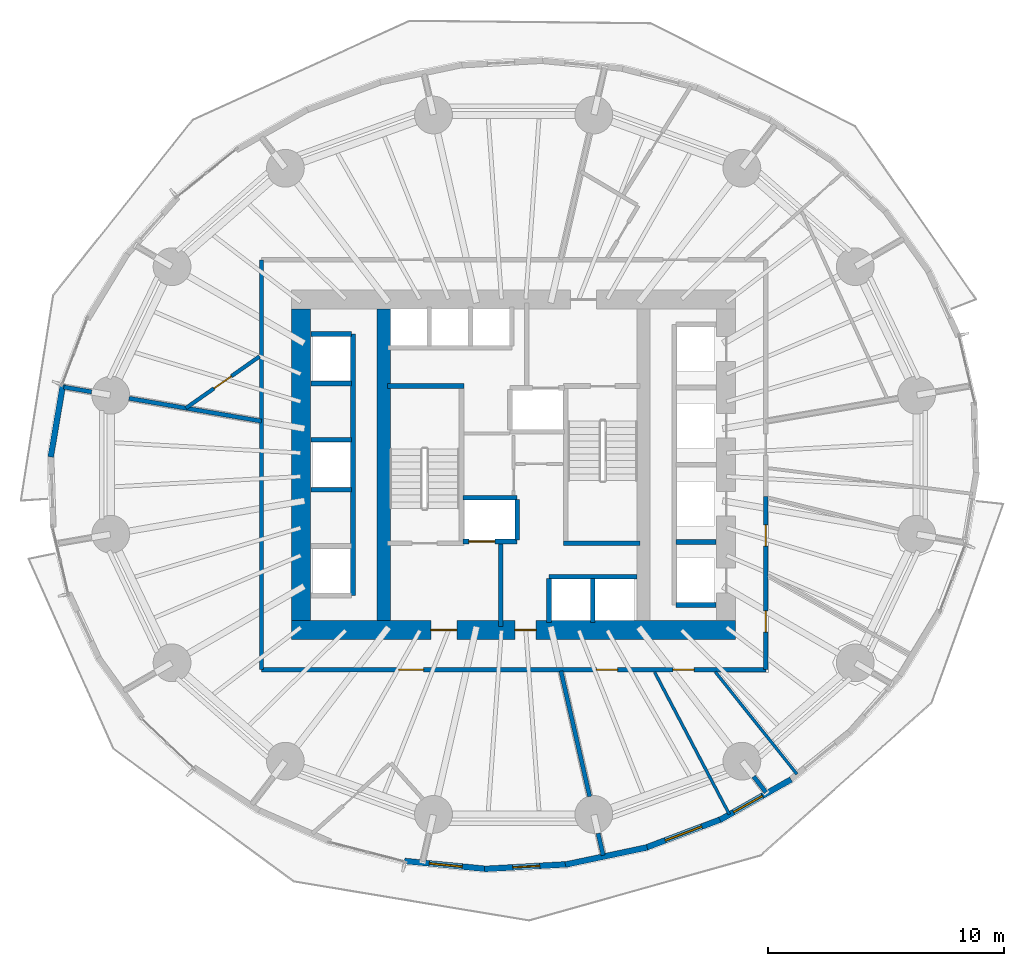
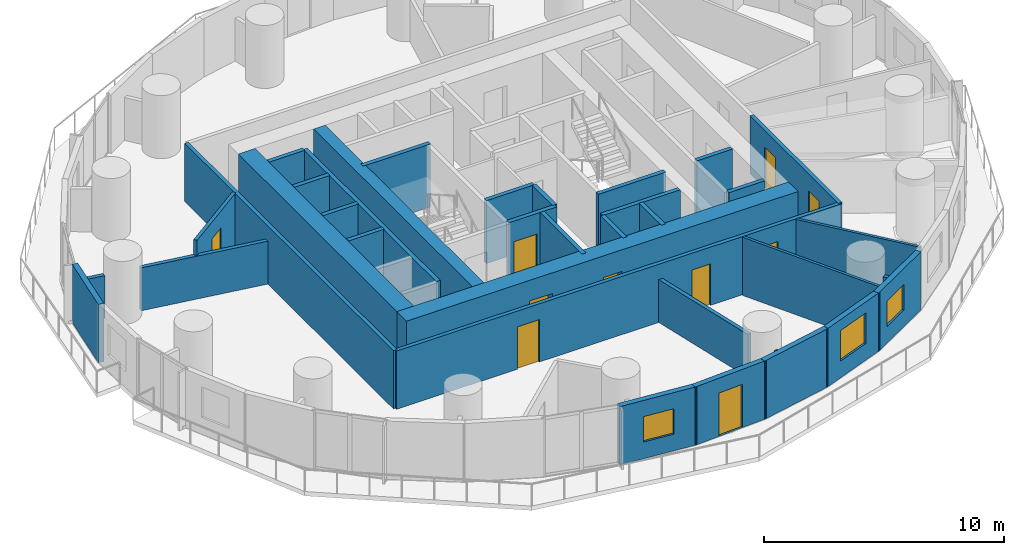
# One storey, part 7 of 14: 36 walls, 10 doors, 3 windows, 13 openings.
"""IFC4 building model written with IfcOpenShell, lengths in metres."""

import ifcopenshell
import ifcopenshell.guid

model = None  # the IFC model being written
_history = None  # IfcOwnerHistory: only IFC2X3 demands one
_inside = {}  # id of a spatial element -> (the spatial element, [elements in it])
_under = {}  # id of a project, library or spatial element -> (it, [spatial elements below it])
_declared = {}  # id of a project -> (the project, [libraries it declares])
_typed = {}  # id of a type object -> (the type object, [elements of that type])
_made_of = {}  # id of a material, layer set ... -> (it, [elements and type objects made of it])


def new_model(schema):
    """Start an empty IFC model of exactly this schema.

    Asked for "IFC4X3", IfcOpenShell would pick the latest addendum, in which some entities
    have other attributes; the version numbers below select the first issue.
    IFC2X3 requires an IfcOwnerHistory on every rooted entity: one is made here for all.
    """
    global model, _history
    if schema == "IFC4X3":
        model = ifcopenshell.file(schema_version=(4, 3, 0, 0))
    else:
        model = ifcopenshell.file(schema=schema)
    _inside.clear()
    _under.clear()
    _declared.clear()
    _typed.clear()
    _made_of.clear()
    _history = None
    if model.schema == "IFC2X3":
        org = make("IfcOrganization", Name="unknown")
        user = make(
            "IfcPersonAndOrganization",
            ThePerson=make("IfcPerson", FamilyName="unknown"),
            TheOrganization=org,
        )
        app = make(
            "IfcApplication",
            ApplicationDeveloper=org,
            Version="unknown",
            ApplicationFullName="unknown",
            ApplicationIdentifier="unknown",
        )
        _history = make(
            "IfcOwnerHistory",
            OwningUser=user,
            OwningApplication=app,
            ChangeAction="ADDED",
            CreationDate=0,
        )
    return model


def make(cls, **values):
    """One entity of the class cls with the attributes given. An attribute that is None is left unset."""
    return model.create_entity(
        cls, **{name: value for name, value in values.items() if value is not None}
    )


def rooted(cls, **values):
    """An entity with a GlobalId (a new one), such as an element, a storey or a relation."""
    return make(cls, GlobalId=ifcopenshell.guid.new(), OwnerHistory=_history, **values)


def si_unit(unit_type, name, prefix=None):
    """IfcSIUnit, for example si_unit("LENGTHUNIT", "METRE", prefix="MILLI")."""
    return make("IfcSIUnit", UnitType=unit_type, Prefix=prefix, Name=name)


def assignment(units):
    """IfcUnitAssignment: the units of a project."""
    return None if units is None else make("IfcUnitAssignment", Units=units)


def point(xyz):
    """IfcCartesianPoint."""
    return None if xyz is None else make("IfcCartesianPoint", Coordinates=xyz)


def direction(xyz):
    """IfcDirection."""
    return None if xyz is None else make("IfcDirection", DirectionRatios=xyz)


def frame(location, z_axis=None, x_axis=None):
    """IfcAxis2Placement3D, a coordinate frame: its origin and axes. An axis left out is left unset."""
    return make(
        "IfcAxis2Placement3D",
        Location=point(location),
        Axis=direction(z_axis),
        RefDirection=direction(x_axis),
    )


def frame_2d(location, x_axis=None):
    """IfcAxis2Placement2D, a coordinate frame in the plane: its origin and x axis."""
    return make(
        "IfcAxis2Placement2D", Location=point(location), RefDirection=direction(x_axis)
    )


def origin():
    """The frame at (0, 0, 0) with its axes left unset."""
    return frame((0.0, 0.0, 0.0))


def place(relative_to, where):
    """IfcLocalPlacement: puts the frame where relative to a parent placement (None: the world)."""
    return make(
        "IfcLocalPlacement", PlacementRelTo=relative_to, RelativePlacement=where
    )


def context(
    kind, dimensions, precision=None, world=None, true_north=None, identifier=None
):
    """IfcGeometricRepresentationContext, for example the 3D "Model" context."""
    return make(
        "IfcGeometricRepresentationContext",
        ContextIdentifier=identifier,
        ContextType=kind,
        CoordinateSpaceDimension=dimensions,
        Precision=precision,
        WorldCoordinateSystem=world,
        TrueNorth=true_north,
    )


def subcontext(parent, identifier, kind, view, scale=None):
    """IfcGeometricRepresentationSubContext, for example "Body" below "Model"."""
    return make(
        "IfcGeometricRepresentationSubContext",
        ContextIdentifier=identifier,
        ContextType=kind,
        ParentContext=parent,
        TargetScale=scale,
        TargetView=view,
    )


def project(units=None, contexts=None):
    """IfcProject with its units and contexts."""
    return rooted(
        "IfcProject",
        Name="project",
        RepresentationContexts=contexts,
        UnitsInContext=assignment(units),
    )


def spatial(cls, under=None, at=None, **own):
    """A site, building, storey or space (cls), placed at a placement, below another one or the project."""
    s = rooted(cls, ObjectPlacement=at, **own)
    if under is not None:
        _under.setdefault(under.id(), (under, []))[1].append(s)
    return s


def profile(cls, at=None, kind="AREA", **sizes):
    """A parametric profile (cls). Its sizes go by their IFC names, for example OverallWidth=200.0."""
    return make(cls, ProfileType=kind, Position=at, **sizes)


def rectangle(**sizes):
    """IfcRectangleProfileDef."""
    return profile("IfcRectangleProfileDef", **sizes)


def extrude(swept, where, along, depth):
    """IfcExtrudedAreaSolid: the profile swept, set in the frame where, extruded along a direction by depth."""
    return make(
        "IfcExtrudedAreaSolid",
        SweptArea=swept,
        Position=where,
        ExtrudedDirection=direction(along),
        Depth=depth,
    )


def shape(context_of_items, identifier, shape_type, items):
    """IfcShapeRepresentation: the items that make up one representation, for example the "Body"."""
    return make(
        "IfcShapeRepresentation",
        ContextOfItems=context_of_items,
        RepresentationIdentifier=identifier,
        RepresentationType=shape_type,
        Items=items,
    )


def material(Name=None, Category=None):
    """IfcMaterial."""
    return make("IfcMaterial", Name=Name, Category=Category)


def layer(
    of_material, thickness, ventilated=None, Name=None, Category=None, Priority=None
):
    """IfcMaterialLayer: one layer of a wall or slab, of a material (None: an air gap)."""
    return make(
        "IfcMaterialLayer",
        Material=of_material,
        LayerThickness=thickness,
        IsVentilated=ventilated,
        Name=Name,
        Category=Category,
        Priority=Priority,
    )


def layer_set(layers, Name=None):
    """IfcMaterialLayerSet."""
    return make("IfcMaterialLayerSet", MaterialLayers=layers, LayerSetName=Name)


def made_of(thing, what):
    """Note that an element or type object is made of a material, layer set ...; save() writes the relation."""
    if what is not None:
        _made_of.setdefault(what.id(), (what, []))[1].append(thing)
    return thing


def type_object(cls, material=None, **own):
    """A type object (cls), such as IfcWallType, which elements share."""
    return made_of(rooted(cls, **own), material)


def element(
    cls,
    number,
    at=None,
    inside=None,
    cuts=None,
    type_object=None,
    material=None,
    context=None,
    identifier="Body",
    shape_type=None,
    held_by="IfcProductDefinitionShape",
    body=None,
    shapes=None,
    **own,
):
    """One element of the class cls, such as IfcWall. Its Tag is "e" and its number.

    at: its placement. inside: the storey or other place that contains it. cuts: it is an
    opening in that element (IfcRelVoidsElement). A single representation is given by context,
    identifier, shape_type and body (its items); several are given by shapes. held_by: the class
    of the entity that holds the representations. save() writes the other relations.
    """
    e = rooted(cls, Tag="e%d" % number, ObjectPlacement=at, **own)
    if body is not None:
        shapes = [shape(context, identifier, shape_type, body)]
    if shapes is not None:
        e.Representation = make(held_by, Representations=shapes)
    if inside is not None:
        _inside.setdefault(inside.id(), (inside, []))[1].append(e)
    if cuts is not None:
        rooted(
            "IfcRelVoidsElement", RelatingBuildingElement=cuts, RelatedOpeningElement=e
        )
    if type_object is not None:
        _typed.setdefault(type_object.id(), (type_object, []))[1].append(e)
    return made_of(e, material)


def fill(opening, filler):
    """IfcRelFillsElement: the door or window that sits in an opening."""
    return rooted(
        "IfcRelFillsElement",
        RelatingOpeningElement=opening,
        RelatedBuildingElement=filler,
    )


def aggregate(whole, parts):
    """IfcRelAggregates: a whole, such as a stair, and the parts it consists of."""
    return rooted("IfcRelAggregates", RelatingObject=whole, RelatedObjects=parts)


def save(model, path):
    """Write the relations noted so far, then the file.

    IfcRelAggregates (storeys below a building ...), IfcRelContainedInSpatialStructure (elements
    in a storey), IfcRelDefinesByType, IfcRelAssociatesMaterial and IfcRelDeclares: one each for
    every whole, place, type object, material and project.
    """
    for whole, parts in _under.values():
        aggregate(whole, parts)
    for where, things in _inside.values():
        rooted(
            "IfcRelContainedInSpatialStructure",
            RelatedElements=things,
            RelatingStructure=where,
        )
    for kind, things in _typed.values():
        rooted("IfcRelDefinesByType", RelatedObjects=things, RelatingType=kind)
    for what, things in _made_of.values():
        rooted("IfcRelAssociatesMaterial", RelatedObjects=things, RelatingMaterial=what)
    for by, libraries in _declared.values():
        rooted("IfcRelDeclares", RelatingContext=by, RelatedDefinitions=libraries)
    model.write(path)


model = new_model("IFC4")

# Units and contexts
model_context = context("Model", 3, precision=1e-05, world=origin(), true_north=direction((0.0, 1.0)))
body_context = subcontext(model_context, "Body", "Model", "MODEL_VIEW")
ifc_project = project(units=[si_unit("LENGTHUNIT", "METRE"), si_unit("AREAUNIT", "SQUARE_METRE"), si_unit("VOLUMEUNIT", "CUBIC_METRE"), si_unit("PLANEANGLEUNIT", "RADIAN"), si_unit("MASSUNIT", "GRAM", prefix="KILO")], contexts=[model_context])

# Site, building, storey
site_placement = place(None, origin())
site = spatial("IfcSite", under=ifc_project, at=site_placement, CompositionType="ELEMENT")
building_placement = place(site_placement, origin())
building = spatial("IfcBuilding", under=site, at=building_placement, Name="Veldorim Arch Residences", CompositionType="ELEMENT")
storey_placement = place(building_placement, frame((0.0, 0.0, 37.60009765625)))
storey = spatial("IfcBuildingStorey", under=building, at=storey_placement, Name="L10", CompositionType="ELEMENT", Elevation=37.60009765625)

# Walls
ifc_material_1 = material(Name="Acoustic Gypsum Board", Category="gypsum")
ifc_layer_1 = layer(ifc_material_1, 0.125, Name="Acoustic Stud Room Partition Wall 125")
ifc_layer_set_1 = layer_set([ifc_layer_1], Name="Acoustic Gypsum Board")
wall_type_1 = type_object("IfcWallType", Name="Acoustic Stud Room Partition Wall 125", PredefinedType="PARTITIONING", material=ifc_layer_set_1)
wall_1_placement = place(storey_placement, frame((43.997802734375, 10.896728515625, 0.0), z_axis=(0.0, 0.0, 1.0), x_axis=(-0.623937025269, 0.781474624347, 0.0)))
element("IfcWall", 1, at=wall_1_placement, inside=storey, type_object=wall_type_1, Name="L10 interior wall WL-RES-L10-010", PredefinedType="PARTITIONING", context=body_context, shape_type="SweptSolid", body=[
    extrude(rectangle(XDim=5.540283203125, YDim=0.125, at=frame_2d((2.77001953125, 0.0))), origin(), (0.0, 0.0, 1.0), 2.954833984375),
])
wall_2_placement = place(storey_placement, frame((41.134521484375, 9.197265625, 0.0), z_axis=(0.0, 0.0, 1.0), x_axis=(-0.465197105493, 0.885207124373, 0.0)))
element("IfcWall", 2, at=wall_2_placement, inside=storey, type_object=wall_type_1, Name="L10 interior wall WL-RES-L10-011", PredefinedType="PARTITIONING", context=body_context, shape_type="SweptSolid", body=[
    extrude(rectangle(XDim=6.796875, YDim=0.125, at=frame_2d((3.3984375, 0.0))), origin(), (0.0, 0.0, 1.0), 2.954833984375),
])
ifc_material_2 = material(Name="Lightweight Masonry Block & Gypsum", Category="masonry")
ifc_layer_2 = layer(ifc_material_2, 0.179931640625, Name="Compartment & Corridor Fire-Rated Party Wall 180")
ifc_layer_set_2 = layer_set([ifc_layer_2], Name="Lightweight Masonry Block & Gypsum")
wall_type_2 = type_object("IfcWallType", Name="Compartment & Corridor Fire-Rated Party Wall 180", PredefinedType="PARTITIONING", material=ifc_layer_set_2)
wall_3_placement = place(storey_placement, frame((14.126220703125, 27.08544921875, 0.0), z_axis=(0.0, 0.0, 1.0), x_axis=(-0.98541644509, 0.170160012181, 0.0)))
element("IfcWall", 3, at=wall_3_placement, inside=storey, type_object=wall_type_2, Name="L10 interior wall WL-PIER-L10-08", PredefinedType="PARTITIONING", context=body_context, shape_type="SweptSolid", body=[
    extrude(rectangle(XDim=1.195068359375, YDim=0.179931640625, at=frame_2d((0.59765625, 0.0))), origin(), (0.0, 0.0, 1.0), 2.17822265625),
])
wall_4_placement = place(storey_placement, frame((35.577880859375, 8.390869140625, 0.0), z_axis=(0.0, 0.0, 1.0), x_axis=(0.223204870581, -0.974771555673, 0.0)))
element("IfcWall", 4, at=wall_4_placement, inside=storey, type_object=wall_type_2, Name="L10 interior wall WL-PIER-L10-13", PredefinedType="PARTITIONING", context=body_context, shape_type="SweptSolid", body=[
    extrude(rectangle(XDim=0.959228515625, YDim=0.179931640625, at=frame_2d((0.4794921875, 0.0))), origin(), (0.0, 0.0, 1.0), 2.17822265625),
])
wall_5_placement = place(storey_placement, frame((42.167236328125, 10.795166015625, 0.0), z_axis=(0.0, 0.0, 1.0), x_axis=(0.609822176225, -0.792538272504, 0.0)))
element("IfcWall", 5, at=wall_5_placement, inside=storey, type_object=wall_type_2, Name="L10 interior wall WL-PIER-L10-14", PredefinedType="PARTITIONING", context=body_context, shape_type="SweptSolid", body=[
    extrude(rectangle(XDim=0.84716796875, YDim=0.179931640625, at=frame_2d((0.423583984375, 0.0))), origin(), (0.0, 0.0, 1.0), 2.17822265625),
])

# Wall, openings, doors
wall_6_placement = place(storey_placement, frame((42.679931640625, 22.655517578125, 0.0), z_axis=(0.0, 0.0, 1.0), x_axis=(0.0, -1.0, 0.0)))
wall_6 = element("IfcWall", 6, at=wall_6_placement, inside=storey, type_object=wall_type_2, Name="L10 interior wall WL-RES-L10-002", PredefinedType="PARTITIONING", context=body_context, shape_type="SweptSolid", body=[
    extrude(rectangle(XDim=7.33544921875, YDim=0.179931640625, at=frame_2d((3.667724609375, 0.0))), origin(), (0.0, 0.0, 1.0), 2.954833984375),
])
opening_1_placement = place(wall_6_placement, frame((1.199951171875, 0.0, 0.0)))
opening_1 = element("IfcOpeningElement", 7, at=opening_1_placement, cuts=wall_6, Name="Opening DR-INT", PredefinedType="OPENING", context=body_context, shape_type="SweptSolid", body=[
    extrude(rectangle(XDim=0.89990234375, YDim=2.10009765625, at=frame_2d((0.449951171875, 1.050048828125))), frame((0.0, 0.099853515625, 0.0), z_axis=(0.0, -1.0, 0.0), x_axis=(1.0, 0.0, 0.0)), (0.0, 0.0, 1.0), 0.199951171875),
])
opening_2_placement = place(wall_6_placement, frame((4.846435546875, 0.0, 0.0)))
opening_2 = element("IfcOpeningElement", 8, at=opening_2_placement, cuts=wall_6, Name="Opening DR-INT", PredefinedType="OPENING", context=body_context, shape_type="SweptSolid", body=[
    extrude(rectangle(XDim=0.89990234375, YDim=2.10009765625, at=frame_2d((0.449951171875, 1.050048828125))), frame((0.0, 0.099853515625, 0.0), z_axis=(0.0, -1.0, 0.0), x_axis=(1.0, 0.0, 0.0)), (0.0, 0.0, 1.0), 0.199951171875),
])
ifc_material_3 = material(Name="Engineered Timber", Category="wood")
door_type_1 = type_object("IfcDoorType", Name="Apartment Internal Room Timber Door 900x2100", OperationType="SINGLE_SWING_LEFT", PredefinedType="DOOR", material=ifc_material_3)
door_1_placement = place(opening_1_placement, origin())
door_1 = element("IfcDoor", 9, at=door_1_placement, inside=storey, type_object=door_type_1, Name="L10 interior door DR-RES-L10-002", OperationType="SINGLE_SWING_RIGHT", OverallHeight=2.10009765625, OverallWidth=0.89990234375, PredefinedType="DOOR", context=body_context, shape_type="SweptSolid", body=[
    extrude(rectangle(XDim=0.89990234375, YDim=2.10009765625, at=frame_2d((0.449951171875, 1.050048828125))), frame((0.0, 0.02490234375, 0.0), z_axis=(0.0, -1.0, 0.0), x_axis=(1.0, 0.0, 0.0)), (0.0, 0.0, 1.0), 0.050048828125),
])
fill(opening_1, door_1)
door_2_placement = place(opening_2_placement, origin())
door_2 = element("IfcDoor", 10, at=door_2_placement, inside=storey, type_object=door_type_1, Name="L10 interior door DR-RES-L10-003", OperationType="SINGLE_SWING_LEFT", OverallHeight=2.10009765625, OverallWidth=0.89990234375, PredefinedType="DOOR", context=body_context, shape_type="SweptSolid", body=[
    extrude(rectangle(XDim=0.89990234375, YDim=2.10009765625, at=frame_2d((0.449951171875, 1.050048828125))), frame((0.0, 0.02490234375, 0.0), z_axis=(0.0, -1.0, 0.0), x_axis=(1.0, 0.0, 0.0)), (0.0, 0.0, 1.0), 0.050048828125),
])
fill(opening_2, door_2)

wall_7_placement = place(storey_placement, frame((42.679931640625, 15.320068359375, 0.0), z_axis=(0.0, 0.0, 1.0), x_axis=(-1.0, 0.0, 0.0)))
wall_7 = element("IfcWall", 11, at=wall_7_placement, inside=storey, type_object=wall_type_2, Name="L10 interior wall WL-RES-L10-003", PredefinedType="PARTITIONING", context=body_context, shape_type="SweptSolid", body=[
    extrude(rectangle(XDim=21.35986328125, YDim=0.179931640625, at=frame_2d((10.679931640625, 0.0))), origin(), (0.0, 0.0, 1.0), 2.954833984375),
])
opening_3_placement = place(wall_7_placement, frame((3.035888671875, 0.0, 0.0)))
opening_3 = element("IfcOpeningElement", 12, at=opening_3_placement, cuts=wall_7, Name="Opening DR-INT", PredefinedType="OPENING", context=body_context, shape_type="SweptSolid", body=[
    extrude(rectangle(XDim=0.89990234375, YDim=2.10009765625, at=frame_2d((0.449951171875, 1.050048828125))), frame((0.0, 0.099853515625, 0.0), z_axis=(0.0, -1.0, 0.0), x_axis=(1.0, 0.0, 0.0)), (0.0, 0.0, 1.0), 0.199951171875),
])
opening_4_placement = place(wall_7_placement, frame((6.275390625, 0.0, 0.0)))
opening_4 = element("IfcOpeningElement", 13, at=opening_4_placement, cuts=wall_7, Name="Opening DR-INT", PredefinedType="OPENING", context=body_context, shape_type="SweptSolid", body=[
    extrude(rectangle(XDim=0.89990234375, YDim=2.10009765625, at=frame_2d((0.449951171875, 1.050048828125))), frame((0.0, 0.099853515625, 0.0), z_axis=(0.0, -1.0, 0.0), x_axis=(1.0, 0.0, 0.0)), (0.0, 0.0, 1.0), 0.199951171875),
])
opening_5_placement = place(wall_7_placement, frame((14.489990234375, 0.0, 0.0)))
opening_5 = element("IfcOpeningElement", 14, at=opening_5_placement, cuts=wall_7, Name="Opening DR-FLT", PredefinedType="OPENING", context=body_context, shape_type="SweptSolid", body=[
    extrude(rectangle(XDim=1.050048828125, YDim=2.14990234375, at=frame_2d((0.52490234375, 1.074951171875))), frame((0.0, 0.099853515625, 0.0), z_axis=(0.0, -1.0, 0.0), x_axis=(1.0, 0.0, 0.0)), (0.0, 0.0, 1.0), 0.199951171875),
])
ifc_material_4 = material(Name="Fire-Rated Timber", Category="wood")
door_type_2 = type_object("IfcDoorType", Name="Apartment Entrance Solid-Core Fire Door 1050x2150", OperationType="SINGLE_SWING_LEFT", PredefinedType="DOOR", material=ifc_material_4)
door_3_placement = place(opening_5_placement, origin())
door_3 = element("IfcDoor", 15, at=door_3_placement, inside=storey, type_object=door_type_2, Name="L10 interior door DR-RES-L10-014", OperationType="SINGLE_SWING_RIGHT", OverallHeight=2.14990234375, OverallWidth=1.050048828125, PredefinedType="DOOR", context=body_context, shape_type="SweptSolid", body=[
    extrude(rectangle(XDim=1.050048828125, YDim=2.14990234375, at=frame_2d((0.52490234375, 1.074951171875))), frame((0.0, 0.02490234375, 0.0), z_axis=(0.0, -1.0, 0.0), x_axis=(1.0, 0.0, 0.0)), (0.0, 0.0, 1.0), 0.050048828125),
])
fill(opening_5, door_3)
door_4_placement = place(opening_3_placement, origin())
door_4 = element("IfcDoor", 16, at=door_4_placement, inside=storey, type_object=door_type_1, Name="L10 interior door DR-RES-L10-004", OperationType="SINGLE_SWING_RIGHT", OverallHeight=2.10009765625, OverallWidth=0.89990234375, PredefinedType="DOOR", context=body_context, shape_type="SweptSolid", body=[
    extrude(rectangle(XDim=0.89990234375, YDim=2.10009765625, at=frame_2d((0.449951171875, 1.050048828125))), frame((0.0, 0.02490234375, 0.0), z_axis=(0.0, -1.0, 0.0), x_axis=(1.0, 0.0, 0.0)), (0.0, 0.0, 1.0), 0.050048828125),
])
fill(opening_3, door_4)
door_5_placement = place(opening_4_placement, origin())
door_5 = element("IfcDoor", 17, at=door_5_placement, inside=storey, type_object=door_type_1, Name="L10 interior door DR-RES-L10-005", OperationType="SINGLE_SWING_LEFT", OverallHeight=2.10009765625, OverallWidth=0.89990234375, PredefinedType="DOOR", context=body_context, shape_type="SweptSolid", body=[
    extrude(rectangle(XDim=0.89990234375, YDim=2.10009765625, at=frame_2d((0.449951171875, 1.050048828125))), frame((0.0, 0.02490234375, 0.0), z_axis=(0.0, -1.0, 0.0), x_axis=(1.0, 0.0, 0.0)), (0.0, 0.0, 1.0), 0.050048828125),
])
fill(opening_4, door_5)

# Walls
wall_8_placement = place(storey_placement, frame((21.320068359375, 15.320068359375, 0.0), z_axis=(0.0, 0.0, 1.0), x_axis=(0.0, 1.0, 0.0)))
element("IfcWall", 18, at=wall_8_placement, inside=storey, type_object=wall_type_2, Name="L10 interior wall WL-RES-L10-005", PredefinedType="PARTITIONING", context=body_context, shape_type="SweptSolid", body=[
    extrude(rectangle(XDim=17.35986328125, YDim=0.179931640625, at=frame_2d((8.679931640625, 0.0))), origin(), (0.0, 0.0, 1.0), 2.954833984375),
])
wall_9_placement = place(storey_placement, frame((35.220947265625, 9.947998046875, 0.0), z_axis=(0.0, 0.0, 1.0), x_axis=(-0.223436436687, 0.974718502318, 0.0)))
element("IfcWall", 19, at=wall_9_placement, inside=storey, type_object=wall_type_2, Name="L10 interior wall WL-RES-L10-012", PredefinedType="PARTITIONING", context=body_context, shape_type="SweptSolid", body=[
    extrude(rectangle(XDim=5.451171875, YDim=0.179931640625, at=frame_2d((2.7255859375, 0.0))), origin(), (0.0, 0.0, 1.0), 2.17822265625),
])
wall_10_placement = place(storey_placement, frame((21.320068359375, 25.84375, 0.0), z_axis=(0.0, 0.0, 1.0), x_axis=(-0.985428411656, 0.170090697865, 0.0)))
element("IfcWall", 20, at=wall_10_placement, inside=storey, type_object=wall_type_2, Name="L10 interior wall WL-RES-L10-020", PredefinedType="PARTITIONING", context=body_context, shape_type="SweptSolid", body=[
    extrude(rectangle(XDim=5.694091796875, YDim=0.179931640625, at=frame_2d((2.84716796875, 0.0))), origin(), (0.0, 0.0, 1.0), 2.17822265625),
])
ifc_material_5 = material(Name="Concrete C50/60", Category="concrete")
ifc_layer_3 = layer(ifc_material_5, 0.199951171875, Name="Core Stair & Lift Shaft Enclosure Wall 200")
ifc_layer_set_3 = layer_set([ifc_layer_3], Name="Concrete C50/60")
wall_type_3 = type_object("IfcWallType", Name="Core Stair & Lift Shaft Enclosure Wall 200", PredefinedType="SHEAR", material=ifc_layer_set_3)
for number, where, z_axis, x_axis, name in (
    (21, (26.64990234375, 27.330078125, 0.0), (0.0, 0.0, 1.0), (1.0, 0.0, 0.0), "L10 shaft wall WL-SHF-L10-ST1-N"),
    (22, (34.110107421875, 20.669921875, 0.0), (0.0, 0.0, 1.0), (1.0, 0.0, 0.0), "L10 shaft wall WL-SHF-L10-ST2-S"),
):
    element("IfcWall", number, at=place(storey_placement, frame(where, z_axis=z_axis, x_axis=x_axis)), inside=storey, type_object=wall_type_3, Name=name, PredefinedType="SHEAR", context=body_context, shape_type="SweptSolid", body=[
        extrude(rectangle(XDim=3.239990234375, YDim=0.199951171875, at=frame_2d((1.6201171875, 0.0))), origin(), (0.0, 0.0, 1.0), 3.199951171875),
    ])
wall_11_placement = place(storey_placement, frame((31.449951171875, 17.14990234375, 0.0), z_axis=(0.0, 0.0, 1.0), x_axis=(0.0, 1.0, 0.0)))
element("IfcWall", 23, at=wall_11_placement, inside=storey, type_object=wall_type_3, Name="L10 shaft wall WL-FFL1-L10-E", PredefinedType="SHEAR", context=body_context, shape_type="SweptSolid", body=[
    extrude(rectangle(XDim=3.5, YDim=0.199951171875, at=frame_2d((1.75, 0.0))), origin(), (0.0, 0.0, 1.0), 3.199951171875),
])

# Wall, opening, door
wall_12_placement = place(storey_placement, frame((29.85009765625, 20.75, 0.0), z_axis=(0.0, 0.0, 1.0), x_axis=(1.0, 0.0, 0.0)))
wall_12 = element("IfcWall", 24, at=wall_12_placement, inside=storey, type_object=wall_type_3, Name="L10 shaft wall WL-FL01-L10-S", PredefinedType="SHEAR", context=body_context, shape_type="SweptSolid", body=[
    extrude(rectangle(XDim=2.2998046875, YDim=0.199951171875, at=frame_2d((1.14990234375, 0.0))), origin(), (0.0, 0.0, 1.0), 3.199951171875),
])
opening_6_placement = place(wall_12_placement, frame((0.25, 0.0, 0.0)))
opening_6 = element("IfcOpeningElement", 25, at=opening_6_placement, cuts=wall_12, Name="Opening LD-FF", PredefinedType="OPENING", context=body_context, shape_type="SweptSolid", body=[
    extrude(rectangle(XDim=1.10009765625, YDim=2.14990234375, at=frame_2d((0.550048828125, 1.074951171875))), frame((0.0, 0.10986328125, 0.0), z_axis=(0.0, -1.0, 0.0), x_axis=(1.0, 0.0, 0.0)), (0.0, 0.0, 1.0), 0.219970703125),
])
ifc_material_6 = material(Name="Stainless Steel", Category="steel")
door_type_3 = type_object("IfcDoorType", Name="Firefighting Lift Bi-Parting Sliding Landing Door 1100x2150", OperationType="DOUBLE_DOOR_SLIDING", PredefinedType="DOOR", material=ifc_material_6)
door_6_placement = place(opening_6_placement, origin())
door_6 = element("IfcDoor", 26, at=door_6_placement, inside=storey, type_object=door_type_3, Name="L10 lift landing door LD-L10-FL01", OperationType="DOUBLE_DOOR_SLIDING", OverallHeight=2.14990234375, OverallWidth=1.10009765625, PredefinedType="DOOR", context=body_context, shape_type="SweptSolid", body=[
    extrude(rectangle(XDim=1.10009765625, YDim=2.14990234375, at=frame_2d((0.550048828125, 1.074951171875))), frame((0.0, 0.02490234375, 0.0), z_axis=(0.0, -1.0, 0.0), x_axis=(1.0, 0.0, 0.0)), (0.0, 0.0, 1.0), 0.050048828125),
])
fill(opening_6, door_6)

# Walls
wall_13_placement = place(storey_placement, frame((29.85009765625, 22.60009765625, 0.0), z_axis=(0.0, 0.0, 1.0), x_axis=(1.0, 0.0, 0.0)))
element("IfcWall", 27, at=wall_13_placement, inside=storey, type_object=wall_type_3, Name="L10 shaft wall WL-FL01-L10-N", PredefinedType="SHEAR", context=body_context, shape_type="SweptSolid", body=[
    extrude(rectangle(XDim=2.2998046875, YDim=0.199951171875, at=frame_2d((1.14990234375, 0.0))), origin(), (0.0, 0.0, 1.0), 3.199951171875),
])
for number, where, z_axis, x_axis, name in (
    (28, (32.14990234375, 20.820068359375, 0.0), (0.0, 0.0, 1.0), (0.0, 1.0, 0.0), "L10 shaft wall WL-FL01-L10-E"),
    (29, (38.8701171875, 18.06005859375, 0.0), (0.0, 0.0, 1.0), (1.0, 0.0, 0.0), "L10 shaft wall WL-B1-L10-S"),
    (30, (38.8701171875, 20.72509765625, 0.0), (0.0, 0.0, 1.0), (1.0, 0.0, 0.0), "L10 shaft wall WL-B1-L10-D1"),
):
    element("IfcWall", number, at=place(storey_placement, frame(where, z_axis=z_axis, x_axis=x_axis)), inside=storey, type_object=wall_type_3, Name=name, PredefinedType="SHEAR", context=body_context, shape_type="SweptSolid", body=[
        extrude(rectangle(XDim=1.7099609375, YDim=0.199951171875, at=frame_2d((0.85498046875, 0.0))), origin(), (0.0, 0.0, 1.0), 3.199951171875),
    ])
wall_14_placement = place(storey_placement, frame((25.199951171875, 18.4599609375, 0.0), z_axis=(0.0, 0.0, 1.0), x_axis=(0.0, 1.0, 0.0)))
element("IfcWall", 31, at=wall_14_placement, inside=storey, type_object=wall_type_3, Name="L10 shaft wall WL-B2-L10-E", PredefinedType="SHEAR", context=body_context, shape_type="SweptSolid", body=[
    extrude(rectangle(XDim=11.080078125, YDim=0.199951171875, at=frame_2d((5.5400390625, 0.0))), origin(), (0.0, 0.0, 1.0), 3.199951171875),
])
for number, where, z_axis, x_axis, name in (
    (32, (23.419921875, 29.5400390625, 0.0), (0.0, 0.0, 1.0), (1.0, 0.0, 0.0), "L10 shaft wall WL-B2-L10-N"),
    (33, (23.419921875, 22.93994140625, 0.0), (0.0, 0.0, 1.0), (1.0, 0.0, 0.0), "L10 shaft wall WL-B2-L10-D1B"),
    (34, (23.419921875, 25.06005859375, 0.0), (0.0, 0.0, 1.0), (1.0, 0.0, 0.0), "L10 shaft wall WL-B2-L10-D2A"),
    (35, (23.419921875, 27.43994140625, 0.0), (0.0, 0.0, 1.0), (1.0, 0.0, 0.0), "L10 shaft wall WL-B2-L10-D2B"),
):
    element("IfcWall", number, at=place(storey_placement, frame(where, z_axis=z_axis, x_axis=x_axis)), inside=storey, type_object=wall_type_3, Name=name, PredefinedType="SHEAR", context=body_context, shape_type="SweptSolid", body=[
        extrude(rectangle(XDim=1.7099609375, YDim=0.199951171875, at=frame_2d((0.85498046875, 0.0))), origin(), (0.0, 0.0, 1.0), 3.199951171875),
    ])
wall_15_placement = place(storey_placement, frame((33.5, 19.25, 0.0), z_axis=(0.0, 0.0, 1.0), x_axis=(1.0, 0.0, 0.0)))
element("IfcWall", 36, at=wall_15_placement, inside=storey, type_object=wall_type_3, Name="L10 shaft wall WL-OL-L10-N", PredefinedType="SHEAR", context=body_context, shape_type="SweptSolid", body=[
    extrude(rectangle(XDim=3.719970703125, YDim=0.199951171875, at=frame_2d((1.85986328125, 0.0))), origin(), (0.0, 0.0, 1.0), 3.199951171875),
])
for number, where, z_axis, x_axis, name in (
    (37, (33.5, 17.320068359375, 0.0), (0.0, 0.0, 1.0), (0.0, 1.0, 0.0), "L10 shaft wall WL-OL-L10-W"),
    (38, (35.35009765625, 17.320068359375, 0.0), (0.0, 0.0, 1.0), (0.0, 1.0, 0.0), "L10 shaft wall WL-OL-L10-D1"),
):
    element("IfcWall", number, at=place(storey_placement, frame(where, z_axis=z_axis, x_axis=x_axis)), inside=storey, type_object=wall_type_3, Name=name, PredefinedType="SHEAR", context=body_context, shape_type="SweptSolid", body=[
        extrude(rectangle(XDim=1.85986328125, YDim=0.199951171875, at=frame_2d((0.929931640625, 0.0))), origin(), (0.0, 0.0, 1.0), 3.199951171875),
    ])
ifc_material_7 = material(Name="Concrete C60/75", Category="concrete")
ifc_layer_4 = layer(ifc_material_7, 0.56005859375, Name="Internal Core Shear Web Wall 560")
ifc_layer_set_4 = layer_set([ifc_layer_4], Name="Concrete C60/75")
wall_type_4 = type_object("IfcWallType", Name="Internal Core Shear Web Wall 560", PredefinedType="SHEAR", material=ifc_layer_set_4)
wall_16_placement = place(storey_placement, frame((26.5, 17.39990234375, 0.0), z_axis=(0.0, 0.0, 1.0), x_axis=(0.0, 1.0, 0.0)))
element("IfcWall", 39, at=wall_16_placement, inside=storey, type_object=wall_type_4, Name="L10 core west internal shear web", PredefinedType="SHEAR", context=body_context, shape_type="SweptSolid", body=[
    extrude(rectangle(XDim=13.2001953125, YDim=0.56005859375, at=frame_2d((6.60009765625, 0.0))), origin(), (0.0, 0.0, 1.0), 3.199951171875),
])

# Wall, openings, doors
ifc_material_8 = material(Name="Concrete C60/75", Category="concrete")
ifc_layer_5 = layer(ifc_material_8, 0.800048828125, Name="Lower Central Core Shear Wall 800")
ifc_layer_set_5 = layer_set([ifc_layer_5], Name="Concrete C60/75")
wall_type_5 = type_object("IfcWallType", Name="Lower Central Core Shear Wall 800", PredefinedType="SHEAR", material=ifc_layer_set_5)
wall_17_placement = place(storey_placement, frame((22.60009765625, 17.0, 0.0), z_axis=(0.0, 0.0, 1.0), x_axis=(1.0, 0.0, 0.0)))
wall_17 = element("IfcWall", 40, at=wall_17_placement, inside=storey, type_object=wall_type_5, Name="L10 central core south shear wall", PredefinedType="SHEAR", context=body_context, shape_type="SweptSolid", body=[
    extrude(rectangle(XDim=18.7998046875, YDim=0.800048828125, at=frame_2d((9.39990234375, 0.0))), origin(), (0.0, 0.0, 1.0), 3.199951171875),
])
opening_7_placement = place(wall_17_placement, frame((5.89990234375, 0.0, 0.0)))
opening_7 = element("IfcOpeningElement", 41, at=opening_7_placement, cuts=wall_17, Name="Opening DR-FFL", PredefinedType="OPENING", context=body_context, shape_type="SweptSolid", body=[
    extrude(rectangle(XDim=1.10009765625, YDim=2.14990234375, at=frame_2d((0.550048828125, 1.074951171875))), frame((0.0, 0.409912109375, 0.0), z_axis=(0.0, -1.0, 0.0), x_axis=(1.0, 0.0, 0.0)), (0.0, 0.0, 1.0), 0.820068359375),
])
opening_8_placement = place(wall_17_placement, frame((9.449951171875, 0.0, 0.0)))
opening_8 = element("IfcOpeningElement", 42, at=opening_8_placement, cuts=wall_17, Name="Opening DR-SVC", PredefinedType="OPENING", context=body_context, shape_type="SweptSolid", body=[
    extrude(rectangle(XDim=0.89990234375, YDim=2.10009765625, at=frame_2d((0.449951171875, 1.050048828125))), frame((0.0, 0.409912109375, 0.0), z_axis=(0.0, -1.0, 0.0), x_axis=(1.0, 0.0, 0.0)), (0.0, 0.0, 1.0), 0.820068359375),
])
ifc_material_9 = material(Name="Fire-Rated Steel & Vision Glass", Category="steel")
door_type_4 = type_object("IfcDoorType", Name="Firefighting Lobby Smoke-Stop Fire Door 1100x2150", OperationType="SINGLE_SWING_LEFT", PredefinedType="DOOR", material=ifc_material_9)
door_7_placement = place(opening_7_placement, origin())
door_7 = element("IfcDoor", 43, at=door_7_placement, inside=storey, type_object=door_type_4, Name="L10 interior door DR-L10-FFL1", OperationType="SINGLE_SWING_RIGHT", OverallHeight=2.14990234375, OverallWidth=1.10009765625, PredefinedType="DOOR", context=body_context, shape_type="SweptSolid", body=[
    extrude(rectangle(XDim=1.10009765625, YDim=2.14990234375, at=frame_2d((0.550048828125, 1.074951171875))), frame((0.0, 0.02490234375, 0.0), z_axis=(0.0, -1.0, 0.0), x_axis=(1.0, 0.0, 0.0)), (0.0, 0.0, 1.0), 0.050048828125),
])
fill(opening_7, door_7)
ifc_material_10 = material(Name="Fire-Rated Steel", Category="steel")
door_type_5 = type_object("IfcDoorType", Name="Riser, Shelter & Plant Room Rated Steel Door 900x2100", OperationType="SINGLE_SWING_LEFT", PredefinedType="DOOR", material=ifc_material_10)
door_8_placement = place(opening_8_placement, origin())
door_8 = element("IfcDoor", 44, at=door_8_placement, inside=storey, type_object=door_type_5, Name="L10 interior door DR-L10-COR-ANC", OperationType="SINGLE_SWING_LEFT", OverallHeight=2.10009765625, OverallWidth=0.89990234375, PredefinedType="DOOR", context=body_context, shape_type="SweptSolid", body=[
    extrude(rectangle(XDim=0.89990234375, YDim=2.10009765625, at=frame_2d((0.449951171875, 1.050048828125))), frame((0.0, 0.02490234375, 0.0), z_axis=(0.0, -1.0, 0.0), x_axis=(1.0, 0.0, 0.0)), (0.0, 0.0, 1.0), 0.050048828125),
])
fill(opening_8, door_8)

# Walls
wall_18_placement = place(storey_placement, frame((23.0, 17.39990234375, 0.0), z_axis=(0.0, 0.0, 1.0), x_axis=(0.0, 1.0, 0.0)))
element("IfcWall", 45, at=wall_18_placement, inside=storey, type_object=wall_type_5, Name="L10 central core west shear wall", PredefinedType="SHEAR", context=body_context, shape_type="SweptSolid", body=[
    extrude(rectangle(XDim=13.2001953125, YDim=0.800048828125, at=frame_2d((6.60009765625, 0.0))), origin(), (0.0, 0.0, 1.0), 3.199951171875),
])
ifc_material_11 = material(Name="Precast concrete C40/50", Category="concrete")
ifc_layer_6 = layer(ifc_material_11, 0.25, Name="Tower Terracotta Spandrel & Pier Wall 250")
ifc_layer_set_6 = layer_set([ifc_layer_6], Name="Precast concrete C40/50")
wall_type_6 = type_object("IfcWallType", Name="Tower Terracotta Spandrel & Pier Wall 250", PredefinedType="SOLIDWALL", material=ifc_layer_set_6)
wall_19_placement = place(storey_placement, frame((12.393310546875, 24.330078125, 0.0), z_axis=(0.0, 0.0, 1.0), x_axis=(0.166403122634, 0.98605780803, 0.0)))
element("IfcWall", 46, at=wall_19_placement, inside=storey, type_object=wall_type_6, Name="L10 terracotta facade wall 17", PredefinedType="SOLIDWALL", context=body_context, shape_type="SweptSolid", body=[
    extrude(rectangle(XDim=3.12060546875, YDim=0.25, at=frame_2d((1.560302734375, 0.0))), origin(), (0.0, 0.0, 1.0), 2.9599609375),
])

# Wall, opening, window
wall_20_placement = place(storey_placement, frame((30.877197265625, 6.876220703125, 0.0), z_axis=(0.0, 0.0, 1.0), x_axis=(-0.995323323337, 0.096599596386, 0.0)))
wall_20 = element("IfcWall", 47, at=wall_20_placement, inside=storey, type_object=wall_type_6, Name="L10 terracotta facade wall 26", PredefinedType="SOLIDWALL", context=body_context, shape_type="SweptSolid", body=[
    extrude(rectangle(XDim=3.512939453125, YDim=0.25, at=frame_2d((1.75634765625, 0.0))), origin(), (0.0, 0.0, 1.0), 2.9599609375),
])
opening_9_placement = place(wall_20_placement, frame((1.055908203125, 0.0, 0.85009765625)))
opening_9 = element("IfcOpeningElement", 48, at=opening_9_placement, cuts=wall_20, Name="Opening WN-02", PredefinedType="OPENING", context=body_context, shape_type="SweptSolid", body=[
    extrude(rectangle(XDim=1.39990234375, YDim=1.2900390625, at=frame_2d((0.699951171875, 0.64501953125))), frame((0.0, 0.135009765625, 0.0), z_axis=(0.0, -1.0, 0.0), x_axis=(1.0, 0.0, 0.0)), (0.0, 0.0, 1.0), 0.27001953125),
])
ifc_material_12 = material(Name="Laminated Low-E Glass", Category="glass")
window_type_1 = type_object("IfcWindowType", Name="Residential Casement Window 1400x1550", PartitioningType="SINGLE_PANEL", PredefinedType="WINDOW", material=ifc_material_12)
window_1_placement = place(opening_9_placement, origin())
window_1 = element("IfcWindow", 49, at=window_1_placement, inside=storey, type_object=window_type_1, Name="L10 solar-control facade window 26", OverallHeight=1.2900390625, OverallWidth=1.39990234375, PartitioningType="SINGLE_PANEL", PredefinedType="WINDOW", context=body_context, shape_type="SweptSolid", body=[
    extrude(rectangle(XDim=1.39990234375, YDim=1.2900390625, at=frame_2d((0.699951171875, 0.64501953125))), frame((0.0, 0.030029296875, 0.0), z_axis=(0.0, -1.0, 0.0), x_axis=(1.0, 0.0, 0.0)), (0.0, 0.0, 1.0), 0.06005859375),
])
fill(opening_9, window_1)

# Wall, opening, door
wall_21_placement = place(storey_placement, frame((34.30078125, 7.076904296875, 0.0), z_axis=(0.0, 0.0, 1.0), x_axis=(-0.998425121055, -0.056100602904, 0.0)))
wall_21 = element("IfcWall", 50, at=wall_21_placement, inside=storey, type_object=wall_type_6, Name="L10 terracotta facade wall 27", PredefinedType="SOLIDWALL", context=body_context, shape_type="SweptSolid", body=[
    extrude(rectangle(XDim=3.5380859375, YDim=0.25, at=frame_2d((1.76904296875, 0.0))), origin(), (0.0, 0.0, 1.0), 2.9599609375),
])
opening_10_placement = place(wall_21_placement, frame((1.194091796875, 0.0, 0.0)))
opening_10 = element("IfcOpeningElement", 51, at=opening_10_placement, cuts=wall_21, Name="Opening BL-DR", PredefinedType="OPENING", context=body_context, shape_type="SweptSolid", body=[
    extrude(rectangle(XDim=1.14990234375, YDim=2.199951171875, at=frame_2d((0.574951171875, 1.10009765625))), frame((0.0, 0.135009765625, 0.0), z_axis=(0.0, -1.0, 0.0), x_axis=(1.0, 0.0, 0.0)), (0.0, 0.0, 1.0), 0.27001953125),
])
ifc_material_13 = material(Name="Aluminium & Low-E Glass", Category="aluminium")
door_type_6 = type_object("IfcDoorType", Name="Glazed Planted Balcony Door 1150x2200", OperationType="SINGLE_SWING_LEFT", PredefinedType="DOOR", material=ifc_material_13)
door_9_placement = place(opening_10_placement, origin())
door_9 = element("IfcDoor", 52, at=door_9_placement, inside=storey, type_object=door_type_6, Name="L10 glazed outdoor terrace door BALC-2", OperationType="SINGLE_SWING_LEFT", OverallHeight=2.199951171875, OverallWidth=1.14990234375, PredefinedType="DOOR", context=body_context, shape_type="SweptSolid", body=[
    extrude(rectangle(XDim=1.14990234375, YDim=2.199951171875, at=frame_2d((0.574951171875, 1.10009765625))), frame((0.0, 0.02490234375, 0.0), z_axis=(0.0, -1.0, 0.0), x_axis=(1.0, 0.0, 0.0)), (0.0, 0.0, 1.0), 0.050048828125),
])
fill(opening_10, door_9)

# Wall
wall_22_placement = place(storey_placement, frame((37.655029296875, 7.79248046875, 0.0), z_axis=(0.0, 0.0, 1.0), x_axis=(-0.978483842038, -0.206323461756, 0.0)))
element("IfcWall", 53, at=wall_22_placement, inside=storey, type_object=wall_type_6, Name="L10 terracotta facade wall 28", PredefinedType="SOLIDWALL", context=body_context, shape_type="SweptSolid", body=[
    extrude(rectangle(XDim=3.5380859375, YDim=0.25, at=frame_2d((1.76904296875, 0.0))), origin(), (0.0, 0.0, 1.0), 2.9599609375),
])

# Wall, opening, window
wall_23_placement = place(storey_placement, frame((40.837646484375, 9.00146484375, 0.0), z_axis=(0.0, 0.0, 1.0), x_axis=(-0.935679231508, -0.352851775857, 0.0)))
wall_23 = element("IfcWall", 54, at=wall_23_placement, inside=storey, type_object=wall_type_6, Name="L10 terracotta facade wall 29", PredefinedType="SOLIDWALL", context=body_context, shape_type="SweptSolid", body=[
    extrude(rectangle(XDim=3.5126953125, YDim=0.25, at=frame_2d((1.75634765625, 0.0))), origin(), (0.0, 0.0, 1.0), 2.9599609375),
])
opening_11_placement = place(wall_23_placement, frame((0.930908203125, 0.0, 0.85009765625)))
opening_11 = element("IfcOpeningElement", 55, at=opening_11_placement, cuts=wall_23, Name="Opening WN-03", PredefinedType="OPENING", context=body_context, shape_type="SweptSolid", body=[
    extrude(rectangle(XDim=1.64990234375, YDim=1.550048828125, at=frame_2d((0.824951171875, 0.77490234375))), frame((0.0, 0.135009765625, 0.0), z_axis=(0.0, -1.0, 0.0), x_axis=(1.0, 0.0, 0.0)), (0.0, 0.0, 1.0), 0.27001953125),
])
ifc_material_14 = material(Name="Laminated Low-E Glass", Category="glass")
window_type_2 = type_object("IfcWindowType", Name="Residential Wide Window 1650x1550", PartitioningType="SINGLE_PANEL", PredefinedType="WINDOW", material=ifc_material_14)
window_2_placement = place(opening_11_placement, origin())
window_2 = element("IfcWindow", 56, at=window_2_placement, inside=storey, type_object=window_type_2, Name="L10 solar-control facade window 29", OverallHeight=1.550048828125, OverallWidth=1.64990234375, PartitioningType="SINGLE_PANEL", PredefinedType="WINDOW", context=body_context, shape_type="SweptSolid", body=[
    extrude(rectangle(XDim=1.64990234375, YDim=1.550048828125, at=frame_2d((0.824951171875, 0.77490234375))), frame((0.0, 0.030029296875, 0.0), z_axis=(0.0, -1.0, 0.0), x_axis=(1.0, 0.0, 0.0)), (0.0, 0.0, 1.0), 0.06005859375),
])
fill(opening_11, window_2)

wall_24_placement = place(storey_placement, frame((43.751220703125, 10.667236328125, 0.0), z_axis=(0.0, 0.0, 1.0), x_axis=(-0.869389832426, -0.494126825091, 0.0)))
wall_24 = element("IfcWall", 57, at=wall_24_placement, inside=storey, type_object=wall_type_6, Name="L10 terracotta facade wall 30", PredefinedType="SOLIDWALL", context=body_context, shape_type="SweptSolid", body=[
    extrude(rectangle(XDim=3.465087890625, YDim=0.25, at=frame_2d((1.732421875, 0.0))), origin(), (0.0, 0.0, 1.0), 2.9599609375),
])
opening_12_placement = place(wall_24_placement, frame((1.39990234375, 0.0, 0.85009765625)))
opening_12 = element("IfcOpeningElement", 58, at=opening_12_placement, cuts=wall_24, Name="Opening WN-02", PredefinedType="OPENING", context=body_context, shape_type="SweptSolid", body=[
    extrude(rectangle(XDim=1.39990234375, YDim=1.2900390625, at=frame_2d((0.699951171875, 0.64501953125))), frame((0.0, 0.135009765625, 0.0), z_axis=(0.0, -1.0, 0.0), x_axis=(1.0, 0.0, 0.0)), (0.0, 0.0, 1.0), 0.27001953125),
])
window_3_placement = place(opening_12_placement, origin())
window_3 = element("IfcWindow", 59, at=window_3_placement, inside=storey, type_object=window_type_1, Name="L10 solar-control facade window 30", OverallHeight=1.2900390625, OverallWidth=1.39990234375, PartitioningType="SINGLE_PANEL", PredefinedType="WINDOW", context=body_context, shape_type="SweptSolid", body=[
    extrude(rectangle(XDim=1.39990234375, YDim=1.2900390625, at=frame_2d((0.699951171875, 0.64501953125))), frame((0.0, 0.030029296875, 0.0), z_axis=(0.0, -1.0, 0.0), x_axis=(1.0, 0.0, 0.0)), (0.0, 0.0, 1.0), 0.06005859375),
])
fill(opening_12, window_3)

# Wall, opening, door
ifc_material_15 = material(Name="Moisture-Resistant Gypsum & Stud", Category="gypsum")
ifc_layer_7 = layer(ifc_material_15, 0.159912109375, Name="Wet-Area Moisture-Resistant Plumbing Wall 160")
ifc_layer_set_7 = layer_set([ifc_layer_7], Name="Moisture-Resistant Gypsum & Stud")
wall_type_7 = type_object("IfcWallType", Name="Wet-Area Moisture-Resistant Plumbing Wall 160", PredefinedType="PLUMBINGWALL", material=ifc_layer_set_7)
wall_25_placement = place(storey_placement, frame((21.238037109375, 28.5869140625, 0.0), z_axis=(0.0, 0.0, 1.0), x_axis=(-0.818554579869, -0.57442875953, 0.0)))
wall_25 = element("IfcWall", 60, at=wall_25_placement, inside=storey, type_object=wall_type_7, Name="L10 interior wall WL-RES-L10-019", PredefinedType="PLUMBINGWALL", context=body_context, shape_type="SweptSolid", body=[
    extrude(rectangle(XDim=3.813232421875, YDim=0.159912109375, at=frame_2d((1.90673828125, 0.0))), origin(), (0.0, 0.0, 1.0), 2.954833984375),
])
opening_13_placement = place(wall_25_placement, frame((1.45654296875, 0.0, 0.0)))
opening_13 = element("IfcOpeningElement", 61, at=opening_13_placement, cuts=wall_25, Name="Opening DR-WC", PredefinedType="OPENING", context=body_context, shape_type="SweptSolid", body=[
    extrude(rectangle(XDim=0.89990234375, YDim=2.10009765625, at=frame_2d((0.449951171875, 1.050048828125))), frame((0.0, 0.08984375, 0.0), z_axis=(0.0, -1.0, 0.0), x_axis=(1.0, 0.0, 0.0)), (0.0, 0.0, 1.0), 0.179931640625),
])
ifc_material_16 = material(Name="Laminate Timber", Category="wood")
door_type_7 = type_object("IfcDoorType", Name="Bathroom & Accessible WC Moisture-Sealed Door 900x2100", OperationType="SINGLE_SWING_LEFT", PredefinedType="DOOR", material=ifc_material_16)
door_10_placement = place(opening_13_placement, origin())
door_10 = element("IfcDoor", 62, at=door_10_placement, inside=storey, type_object=door_type_7, Name="L10 interior door DR-RES-L10-013", OperationType="SINGLE_SWING_LEFT", OverallHeight=2.10009765625, OverallWidth=0.89990234375, PredefinedType="DOOR", context=body_context, shape_type="SweptSolid", body=[
    extrude(rectangle(XDim=0.89990234375, YDim=2.10009765625, at=frame_2d((0.449951171875, 1.050048828125))), frame((0.0, 0.02490234375, 0.0), z_axis=(0.0, -1.0, 0.0), x_axis=(1.0, 0.0, 0.0)), (0.0, 0.0, 1.0), 0.050048828125),
])
fill(opening_13, door_10)

save(model, "model.ifc")
